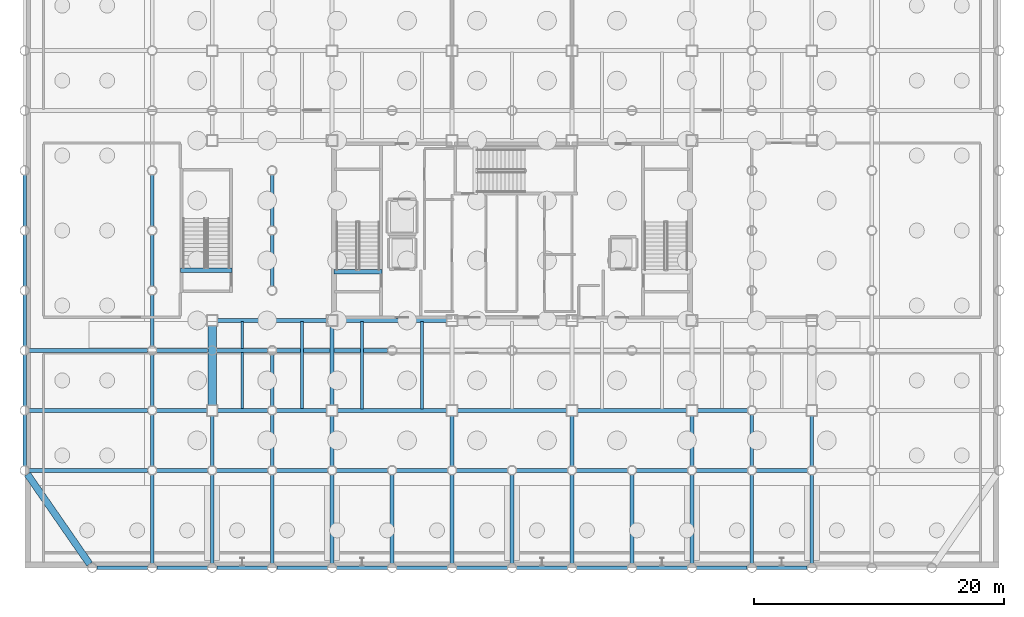
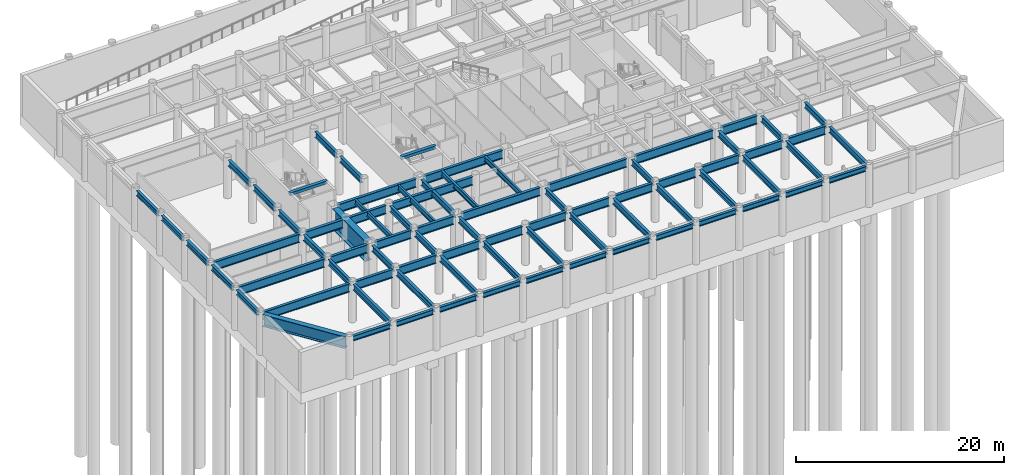
# One storey, part 6 of 17: 80 beams.
"""IFC4 building model written with IfcOpenShell, lengths in metres."""

from ifc_helpers import new_model, si_unit, direction, frame, origin, origin_2d, place, context, subcontext, project, spatial, rectangle, i_section, extrude, material, material_profile, profile_set, type_object, element, save


model = new_model("IFC4")

# Units and contexts
model_context = context("Model", 3, precision=1e-05, world=origin(), true_north=direction((0.0, 1.0)))
body_context = subcontext(model_context, "Body", "Model", "MODEL_VIEW")
ifc_project = project(units=[si_unit("LENGTHUNIT", "METRE"), si_unit("AREAUNIT", "SQUARE_METRE"), si_unit("VOLUMEUNIT", "CUBIC_METRE"), si_unit("PLANEANGLEUNIT", "RADIAN"), si_unit("MASSUNIT", "GRAM", prefix="KILO")], contexts=[model_context])

# Site, building, storey
site_placement = place(None, origin())
site = spatial("IfcSite", under=ifc_project, at=site_placement, CompositionType="ELEMENT")
building_placement = place(site_placement, origin())
building = spatial("IfcBuilding", under=site, at=building_placement, Name="Kallvorn Hotel Tower", CompositionType="ELEMENT")
storey_placement = place(building_placement, frame((0.0, 0.0, -10.199951171875)))
storey = spatial("IfcBuildingStorey", under=building, at=storey_placement, Name="B2", CompositionType="ELEMENT", Elevation=-10.199951171875)

# Beams
ifc_material_1 = material(Name="Structural steel S355JR", Category="steel")
ifc_material_profile_1 = material_profile(ifc_material_1, i_section(OverallWidth=0.300048828125, OverallDepth=1.0, WebThickness=0.01904296875, FlangeThickness=0.035888671875, at=origin_2d()), Name="HE 1000 B")
ifc_profile_set_1 = profile_set([ifc_material_profile_1], Name="Structural steel S355JR")
beam_type_1 = type_object("IfcBeamType", Name="BM_HE1000B", PredefinedType="BEAM", material=ifc_profile_set_1)
beam_1_placement = place(storey_placement, frame((-38.64404296875, -19.199951171875, 4.050048828125), z_axis=(1.0, 0.0, 0.0), x_axis=(0.0, 1.0, 0.0)))
element("IfcBeam", 1, at=beam_1_placement, inside=storey, type_object=beam_type_1, Name="B1 Primary X-Girder 03", PredefinedType="BEAM", context=body_context, shape_type="SweptSolid", body=[
    extrude(i_section(OverallWidth=0.300048828125, OverallDepth=1.0, WebThickness=0.01904296875, FlangeThickness=0.035888671875, at=origin_2d()), origin(), (0.0, 0.0, 1.0), 9.488037109375),
])
for number, where, z_axis, x_axis, name in (
    (2, (-28.444091796875, -19.199951171875, 4.050048828125), (1.0, 0.0, 0.0), (0.0, 1.0, 0.0), "B1 Primary X-Girder 04"),
    (3, (-23.64404296875, -19.199951171875, 4.050048828125), (1.0, 0.0, 0.0), (0.0, 1.0, 0.0), "B1 Primary X-Girder 05"),
):
    element("IfcBeam", number, at=place(storey_placement, frame(where, z_axis=z_axis, x_axis=x_axis)), inside=storey, type_object=beam_type_1, Name=name, PredefinedType="BEAM", context=body_context, shape_type="SweptSolid", body=[
        extrude(i_section(OverallWidth=0.300048828125, OverallDepth=1.0, WebThickness=0.01904296875, FlangeThickness=0.035888671875, at=origin_2d()), origin(), (0.0, 0.0, 1.0), 4.088134765625),
    ])
for number, where, z_axis, x_axis, name in (
    (4, (-18.843994140625, -19.199951171875, 4.050048828125), (1.0, 0.0, 0.0), (0.0, 1.0, 0.0), "B1 Primary X-Girder 06"),
    (5, (-14.0439453125, -19.199951171875, 4.050048828125), (1.0, 0.0, 0.0), (0.0, 1.0, 0.0), "B1 Primary X-Girder 07"),
    (6, (-9.243896484375, -19.199951171875, 4.050048828125), (1.0, 0.0, 0.0), (0.0, 1.0, 0.0), "B1 Primary X-Girder 08"),
):
    element("IfcBeam", number, at=place(storey_placement, frame(where, z_axis=z_axis, x_axis=x_axis)), inside=storey, type_object=beam_type_1, Name=name, PredefinedType="BEAM", context=body_context, shape_type="SweptSolid", body=[
        extrude(i_section(OverallWidth=0.300048828125, OverallDepth=1.0, WebThickness=0.01904296875, FlangeThickness=0.035888671875, at=origin_2d()), origin(), (0.0, 0.0, 1.0), 4.087890625),
    ])
for number, where, z_axis, x_axis, name in (
    (7, (-4.444091796875, -19.199951171875, 4.050048828125), (1.0, 0.0, 0.0), (0.0, 1.0, 0.0), "B1 Primary X-Girder 09"),
    (8, (0.35595703125, -19.199951171875, 4.050048828125), (1.0, 0.0, 0.0), (0.0, 1.0, 0.0), "B1 Primary X-Girder 10"),
):
    element("IfcBeam", number, at=place(storey_placement, frame(where, z_axis=z_axis, x_axis=x_axis)), inside=storey, type_object=beam_type_1, Name=name, PredefinedType="BEAM", context=body_context, shape_type="SweptSolid", body=[
        extrude(i_section(OverallWidth=0.300048828125, OverallDepth=1.0, WebThickness=0.01904296875, FlangeThickness=0.035888671875, at=origin_2d()), origin(), (0.0, 0.0, 1.0), 4.088134765625),
    ])
for number, where, z_axis, x_axis, name in (
    (9, (5.156005859375, -19.199951171875, 4.050048828125), (1.0, 0.0, 0.0), (0.0, 1.0, 0.0), "B1 Primary X-Girder 11"),
    (10, (9.9560546875, -19.199951171875, 4.050048828125), (1.0, 0.0, 0.0), (0.0, 1.0, 0.0), "B1 Primary X-Girder 12"),
    (11, (14.756103515625, -19.199951171875, 4.050048828125), (1.0, 0.0, 0.0), (0.0, 1.0, 0.0), "B1 Primary X-Girder 13"),
):
    element("IfcBeam", number, at=place(storey_placement, frame(where, z_axis=z_axis, x_axis=x_axis)), inside=storey, type_object=beam_type_1, Name=name, PredefinedType="BEAM", context=body_context, shape_type="SweptSolid", body=[
        extrude(i_section(OverallWidth=0.300048828125, OverallDepth=1.0, WebThickness=0.01904296875, FlangeThickness=0.035888671875, at=origin_2d()), origin(), (0.0, 0.0, 1.0), 4.087890625),
    ])
beam_2_placement = place(storey_placement, frame((19.555908203125, -19.199951171875, 4.050048828125), z_axis=(1.0, 0.0, 0.0), x_axis=(0.0, 1.0, 0.0)))
element("IfcBeam", 12, at=beam_2_placement, inside=storey, type_object=beam_type_1, Name="B1 Primary X-Girder 14", PredefinedType="BEAM", context=body_context, shape_type="SweptSolid", body=[
    extrude(i_section(OverallWidth=0.300048828125, OverallDepth=1.0, WebThickness=0.01904296875, FlangeThickness=0.035888671875, at=origin_2d()), origin(), (0.0, 0.0, 1.0), 4.088134765625),
])
beam_3_placement = place(storey_placement, frame((-38.64404296875, -14.39990234375, 4.050048828125), z_axis=(1.0, 0.0, 0.0), x_axis=(0.0, 1.0, 0.0)))
element("IfcBeam", 13, at=beam_3_placement, inside=storey, type_object=beam_type_1, Name="B1 Primary X-Girder 17", PredefinedType="BEAM", context=body_context, shape_type="SweptSolid", body=[
    extrude(i_section(OverallWidth=0.300048828125, OverallDepth=1.0, WebThickness=0.01904296875, FlangeThickness=0.035888671875, at=origin_2d()), origin(), (0.0, 0.0, 1.0), 9.488037109375),
])
for number, where, z_axis, x_axis, name in (
    (14, (-28.444091796875, -14.39990234375, 4.050048828125), (1.0, 0.0, 0.0), (0.0, 1.0, 0.0), "B1 Primary X-Girder 18"),
    (15, (-23.574951171875, -14.39990234375, 4.050048828125), (1.0, 0.0, 0.0), (0.0, 1.0, 0.0), "B1 Primary X-Girder 19"),
    (16, (-18.843994140625, -14.39990234375, 4.050048828125), (1.0, 0.0, 0.0), (0.0, 1.0, 0.0), "B1 Primary X-Girder 20"),
):
    element("IfcBeam", number, at=place(storey_placement, frame(where, z_axis=z_axis, x_axis=x_axis)), inside=storey, type_object=beam_type_1, Name=name, PredefinedType="BEAM", context=body_context, shape_type="SweptSolid", body=[
        extrude(i_section(OverallWidth=0.300048828125, OverallDepth=1.0, WebThickness=0.01904296875, FlangeThickness=0.035888671875, at=origin_2d()), origin(), (0.0, 0.0, 1.0), 4.01904296875),
    ])
for number, where, z_axis, x_axis, name in (
    (17, (-13.97509765625, -14.39990234375, 4.050048828125), (1.0, 0.0, 0.0), (0.0, 1.0, 0.0), "B1 Primary X-Girder 21"),
    (18, (-4.375, -14.39990234375, 4.050048828125), (1.0, 0.0, 0.0), (0.0, 1.0, 0.0), "B1 Primary X-Girder 22"),
    (19, (5.22509765625, -14.39990234375, 4.050048828125), (1.0, 0.0, 0.0), (0.0, 1.0, 0.0), "B1 Primary X-Girder 23"),
):
    element("IfcBeam", number, at=place(storey_placement, frame(where, z_axis=z_axis, x_axis=x_axis)), inside=storey, type_object=beam_type_1, Name=name, PredefinedType="BEAM", context=body_context, shape_type="SweptSolid", body=[
        extrude(i_section(OverallWidth=0.300048828125, OverallDepth=1.0, WebThickness=0.01904296875, FlangeThickness=0.035888671875, at=origin_2d()), origin(), (0.0, 0.0, 1.0), 8.75),
    ])
beam_4_placement = place(storey_placement, frame((14.824951171875, -14.39990234375, 4.050048828125), z_axis=(1.0, 0.0, 0.0), x_axis=(0.0, 1.0, 0.0)))
element("IfcBeam", 20, at=beam_4_placement, inside=storey, type_object=beam_type_1, Name="B1 Primary X-Girder 24", PredefinedType="BEAM", context=body_context, shape_type="SweptSolid", body=[
    extrude(i_section(OverallWidth=0.300048828125, OverallDepth=1.0, WebThickness=0.01904296875, FlangeThickness=0.035888671875, at=origin_2d()), origin(), (0.0, 0.0, 1.0), 4.01904296875),
])
beam_5_placement = place(storey_placement, frame((-38.64404296875, -9.60009765625, 4.050048828125), z_axis=(1.0, 0.0, 0.0), x_axis=(0.0, 1.0, 0.0)))
element("IfcBeam", 21, at=beam_5_placement, inside=storey, type_object=beam_type_1, Name="B1 Primary X-Girder 28", PredefinedType="BEAM", context=body_context, shape_type="SweptSolid", body=[
    extrude(i_section(OverallWidth=0.300048828125, OverallDepth=1.0, WebThickness=0.01904296875, FlangeThickness=0.035888671875, at=origin_2d()), origin(), (0.0, 0.0, 1.0), 9.488037109375),
])
for number, where, z_axis, x_axis, name in (
    (22, (-28.444091796875, -9.60009765625, 4.050048828125), (1.0, 0.0, 0.0), (0.0, 1.0, 0.0), "B1 Primary X-Girder 29"),
    (23, (-23.64404296875, -9.60009765625, 4.050048828125), (1.0, 0.0, 0.0), (0.0, 1.0, 0.0), "B1 Primary X-Girder 30"),
):
    element("IfcBeam", number, at=place(storey_placement, frame(where, z_axis=z_axis, x_axis=x_axis)), inside=storey, type_object=beam_type_1, Name=name, PredefinedType="BEAM", context=body_context, shape_type="SweptSolid", body=[
        extrude(i_section(OverallWidth=0.300048828125, OverallDepth=1.0, WebThickness=0.01904296875, FlangeThickness=0.035888671875, at=origin_2d()), origin(), (0.0, 0.0, 1.0), 4.088134765625),
    ])
beam_6_placement = place(storey_placement, frame((-18.843994140625, -9.60009765625, 4.050048828125), z_axis=(1.0, 0.0, 0.0), x_axis=(0.0, 1.0, 0.0)))
element("IfcBeam", 24, at=beam_6_placement, inside=storey, type_object=beam_type_1, Name="B1 Primary X-Girder 31", PredefinedType="BEAM", context=body_context, shape_type="SweptSolid", body=[
    extrude(i_section(OverallWidth=0.300048828125, OverallDepth=1.0, WebThickness=0.01904296875, FlangeThickness=0.035888671875, at=origin_2d()), origin(), (0.0, 0.0, 1.0), 8.887939453125),
])
for number, where, z_axis, x_axis, name in (
    (25, (-23.574951171875, -7.199951171875, 4.050048828125), (1.0, 0.0, 0.0), (0.0, 1.0, 0.0), "B1 Primary X-Girder 38"),
    (26, (-13.97509765625, -7.199951171875, 4.050048828125), (1.0, 0.0, 0.0), (0.0, 1.0, 0.0), "B1 Primary X-Girder 39"),
):
    element("IfcBeam", number, at=place(storey_placement, frame(where, z_axis=z_axis, x_axis=x_axis)), inside=storey, type_object=beam_type_1, Name=name, PredefinedType="BEAM", context=body_context, shape_type="SweptSolid", body=[
        extrude(i_section(OverallWidth=0.300048828125, OverallDepth=1.0, WebThickness=0.01904296875, FlangeThickness=0.035888671875, at=origin_2d()), origin(), (0.0, 0.0, 1.0), 8.75),
    ])
ifc_material_2 = material(Name="Structural steel S355JR", Category="steel")
ifc_material_profile_2 = material_profile(ifc_material_2, i_section(OverallWidth=0.300048828125, OverallDepth=0.60009765625, WebThickness=0.015380859375, FlangeThickness=0.030029296875, at=origin_2d()), Name="HE 600 B")
ifc_profile_set_2 = profile_set([ifc_material_profile_2], Name="Structural steel S355JR")
beam_type_2 = type_object("IfcBeamType", Name="BM_HE600B", PredefinedType="SPANDREL", material=ifc_profile_set_2)
beam_7_placement = place(storey_placement, frame((-33.22900390625, -27.0, 4.25), z_axis=(1.0, 0.0, 0.0), x_axis=(0.0, 1.0, 0.0)))
element("IfcBeam", 27, at=beam_7_placement, inside=storey, type_object=beam_type_2, Name="B1 Perimeter Spandrel 174", PredefinedType="SPANDREL", context=body_context, shape_type="SweptSolid", body=[
    extrude(i_section(OverallWidth=0.300048828125, OverallDepth=0.60009765625, WebThickness=0.015380859375, FlangeThickness=0.030029296875, at=origin_2d()), origin(), (0.0, 0.0, 1.0), 4.05810546875),
])
for number, where, z_axis, x_axis, name in (
    (28, (-28.428955078125, -27.0, 4.25), (1.0, 0.0, 0.0), (0.0, 1.0, 0.0), "B1 Perimeter Spandrel 175"),
    (29, (-23.62890625, -27.0, 4.25), (1.0, 0.0, 0.0), (0.0, 1.0, 0.0), "B1 Perimeter Spandrel 176"),
):
    element("IfcBeam", number, at=place(storey_placement, frame(where, z_axis=z_axis, x_axis=x_axis)), inside=storey, type_object=beam_type_2, Name=name, PredefinedType="SPANDREL", context=body_context, shape_type="SweptSolid", body=[
        extrude(i_section(OverallWidth=0.300048828125, OverallDepth=0.60009765625, WebThickness=0.015380859375, FlangeThickness=0.030029296875, at=origin_2d()), origin(), (0.0, 0.0, 1.0), 4.057861328125),
    ])
for number, where, z_axis, x_axis, name in (
    (30, (-18.8291015625, -27.0, 4.25), (1.0, 0.0, 0.0), (0.0, 1.0, 0.0), "B1 Perimeter Spandrel 177"),
    (31, (-14.029052734375, -27.0, 4.25), (1.0, 0.0, 0.0), (0.0, 1.0, 0.0), "B1 Perimeter Spandrel 178"),
    (32, (-9.22900390625, -27.0, 4.25), (1.0, 0.0, 0.0), (0.0, 1.0, 0.0), "B1 Perimeter Spandrel 179"),
):
    element("IfcBeam", number, at=place(storey_placement, frame(where, z_axis=z_axis, x_axis=x_axis)), inside=storey, type_object=beam_type_2, Name=name, PredefinedType="SPANDREL", context=body_context, shape_type="SweptSolid", body=[
        extrude(i_section(OverallWidth=0.300048828125, OverallDepth=0.60009765625, WebThickness=0.015380859375, FlangeThickness=0.030029296875, at=origin_2d()), origin(), (0.0, 0.0, 1.0), 4.05810546875),
    ])
for number, where, z_axis, x_axis, name in (
    (33, (-4.428955078125, -27.0, 4.25), (1.0, 0.0, 0.0), (0.0, 1.0, 0.0), "B1 Perimeter Spandrel 180"),
    (34, (0.37109375, -27.0, 4.25), (1.0, 0.0, 0.0), (0.0, 1.0, 0.0), "B1 Perimeter Spandrel 181"),
):
    element("IfcBeam", number, at=place(storey_placement, frame(where, z_axis=z_axis, x_axis=x_axis)), inside=storey, type_object=beam_type_2, Name=name, PredefinedType="SPANDREL", context=body_context, shape_type="SweptSolid", body=[
        extrude(i_section(OverallWidth=0.300048828125, OverallDepth=0.60009765625, WebThickness=0.015380859375, FlangeThickness=0.030029296875, at=origin_2d()), origin(), (0.0, 0.0, 1.0), 4.057861328125),
    ])
for number, where, z_axis, x_axis, name in (
    (35, (5.1708984375, -27.0, 4.25), (1.0, 0.0, 0.0), (0.0, 1.0, 0.0), "B1 Perimeter Spandrel 182"),
    (36, (9.970947265625, -27.0, 4.25), (1.0, 0.0, 0.0), (0.0, 1.0, 0.0), "B1 Perimeter Spandrel 183"),
    (37, (14.77099609375, -27.0, 4.25), (1.0, 0.0, 0.0), (0.0, 1.0, 0.0), "B1 Perimeter Spandrel 184"),
):
    element("IfcBeam", number, at=place(storey_placement, frame(where, z_axis=z_axis, x_axis=x_axis)), inside=storey, type_object=beam_type_2, Name=name, PredefinedType="SPANDREL", context=body_context, shape_type="SweptSolid", body=[
        extrude(i_section(OverallWidth=0.300048828125, OverallDepth=0.60009765625, WebThickness=0.015380859375, FlangeThickness=0.030029296875, at=origin_2d()), origin(), (0.0, 0.0, 1.0), 4.05810546875),
    ])
beam_8_placement = place(storey_placement, frame((19.571044921875, -27.0, 4.25), z_axis=(1.0, 0.0, 0.0), x_axis=(0.0, 1.0, 0.0)))
element("IfcBeam", 38, at=beam_8_placement, inside=storey, type_object=beam_type_2, Name="B1 Perimeter Spandrel 185", PredefinedType="SPANDREL", context=body_context, shape_type="SweptSolid", body=[
    extrude(i_section(OverallWidth=0.300048828125, OverallDepth=0.60009765625, WebThickness=0.015380859375, FlangeThickness=0.030029296875, at=origin_2d()), origin(), (0.0, 0.0, 1.0), 4.057861328125),
])
for number, where, z_axis, x_axis, name in (
    (39, (-39.0, -18.8291015625, 4.25), (0.0, 1.0, 0.0), (-1.0, 0.0, 0.0), "B1 Perimeter Spandrel 202"),
    (40, (-39.0, -14.029052734375, 4.25), (0.0, 1.0, 0.0), (-1.0, 0.0, 0.0), "B1 Perimeter Spandrel 203"),
    (41, (-39.0, -9.22900390625, 4.25), (0.0, 1.0, 0.0), (-1.0, 0.0, 0.0), "B1 Perimeter Spandrel 204"),
):
    element("IfcBeam", number, at=place(storey_placement, frame(where, z_axis=z_axis, x_axis=x_axis)), inside=storey, type_object=beam_type_2, Name=name, PredefinedType="SPANDREL", context=body_context, shape_type="SweptSolid", body=[
        extrude(i_section(OverallWidth=0.300048828125, OverallDepth=0.60009765625, WebThickness=0.015380859375, FlangeThickness=0.030029296875, at=origin_2d()), origin(), (0.0, 0.0, 1.0), 4.05810546875),
    ])
for number, where, z_axis, x_axis, name in (
    (42, (-39.0, -4.428955078125, 4.25), (0.0, 1.0, 0.0), (-1.0, 0.0, 0.0), "B1 Perimeter Spandrel 205"),
    (43, (-39.0, 0.37109375, 4.25), (0.0, 1.0, 0.0), (-1.0, 0.0, 0.0), "B1 Perimeter Spandrel 206"),
):
    element("IfcBeam", number, at=place(storey_placement, frame(where, z_axis=z_axis, x_axis=x_axis)), inside=storey, type_object=beam_type_2, Name=name, PredefinedType="SPANDREL", context=body_context, shape_type="SweptSolid", body=[
        extrude(i_section(OverallWidth=0.300048828125, OverallDepth=0.60009765625, WebThickness=0.015380859375, FlangeThickness=0.030029296875, at=origin_2d()), origin(), (0.0, 0.0, 1.0), 4.057861328125),
    ])
ifc_material_3 = material(Name="Structural steel S355JR", Category="steel")
ifc_material_profile_3 = material_profile(ifc_material_3, i_section(OverallWidth=0.300048828125, OverallDepth=0.699951171875, WebThickness=0.01708984375, FlangeThickness=0.031982421875, at=origin_2d()), Name="HE 700 B")
ifc_profile_set_3 = profile_set([ifc_material_profile_3], Name="Structural steel S355JR")
beam_type_3 = type_object("IfcBeamType", Name="BM_HE700B", PredefinedType="BEAM", material=ifc_profile_set_3)
beam_9_placement = place(storey_placement, frame((-28.800048828125, -26.64404296875, 4.199951171875), z_axis=(0.0, 1.0, 0.0), x_axis=(-1.0, 0.0, 0.0)))
element("IfcBeam", 44, at=beam_9_placement, inside=storey, type_object=beam_type_3, Name="B1 Primary Y-Girder 82", PredefinedType="BEAM", context=body_context, shape_type="SweptSolid", body=[
    extrude(i_section(OverallWidth=0.300048828125, OverallDepth=0.699951171875, WebThickness=0.01708984375, FlangeThickness=0.031982421875, at=origin_2d()), origin(), (0.0, 0.0, 1.0), 7.088134765625),
])
for number, where, z_axis, x_axis, name in (
    (45, (-28.800048828125, -18.843994140625, 4.199951171875), (0.0, 1.0, 0.0), (-1.0, 0.0, 0.0), "B1 Primary Y-Girder 83"),
    (46, (-28.800048828125, -14.0439453125, 4.199951171875), (0.0, 1.0, 0.0), (-1.0, 0.0, 0.0), "B1 Primary Y-Girder 84"),
    (47, (-28.800048828125, -9.243896484375, 4.199951171875), (0.0, 1.0, 0.0), (-1.0, 0.0, 0.0), "B1 Primary Y-Girder 85"),
):
    element("IfcBeam", number, at=place(storey_placement, frame(where, z_axis=z_axis, x_axis=x_axis)), inside=storey, type_object=beam_type_3, Name=name, PredefinedType="BEAM", context=body_context, shape_type="SweptSolid", body=[
        extrude(i_section(OverallWidth=0.300048828125, OverallDepth=0.699951171875, WebThickness=0.01708984375, FlangeThickness=0.031982421875, at=origin_2d()), origin(), (0.0, 0.0, 1.0), 4.087890625),
    ])
for number, where, z_axis, x_axis, name in (
    (48, (-28.800048828125, -4.444091796875, 4.199951171875), (0.0, 1.0, 0.0), (-1.0, 0.0, 0.0), "B1 Primary Y-Girder 86"),
    (49, (-28.800048828125, 0.35595703125, 4.199951171875), (0.0, 1.0, 0.0), (-1.0, 0.0, 0.0), "B1 Primary Y-Girder 87"),
):
    element("IfcBeam", number, at=place(storey_placement, frame(where, z_axis=z_axis, x_axis=x_axis)), inside=storey, type_object=beam_type_3, Name=name, PredefinedType="BEAM", context=body_context, shape_type="SweptSolid", body=[
        extrude(i_section(OverallWidth=0.300048828125, OverallDepth=0.699951171875, WebThickness=0.01708984375, FlangeThickness=0.031982421875, at=origin_2d()), origin(), (0.0, 0.0, 1.0), 4.088134765625),
    ])
beam_10_placement = place(storey_placement, frame((-24.0, -26.64404296875, 4.199951171875), z_axis=(0.0, 1.0, 0.0), x_axis=(-1.0, 0.0, 0.0)))
element("IfcBeam", 50, at=beam_10_placement, inside=storey, type_object=beam_type_3, Name="B1 Primary Y-Girder 92", PredefinedType="BEAM", context=body_context, shape_type="SweptSolid", body=[
    extrude(i_section(OverallWidth=0.300048828125, OverallDepth=0.699951171875, WebThickness=0.01708984375, FlangeThickness=0.031982421875, at=origin_2d()), origin(), (0.0, 0.0, 1.0), 7.088134765625),
])
beam_11_placement = place(storey_placement, frame((-24.0, -18.843994140625, 4.199951171875), z_axis=(0.0, 1.0, 0.0), x_axis=(-1.0, 0.0, 0.0)))
element("IfcBeam", 51, at=beam_11_placement, inside=storey, type_object=beam_type_3, Name="B1 Primary Y-Girder 93", PredefinedType="BEAM", context=body_context, shape_type="SweptSolid", body=[
    extrude(i_section(OverallWidth=0.300048828125, OverallDepth=0.699951171875, WebThickness=0.01708984375, FlangeThickness=0.031982421875, at=origin_2d()), origin(), (0.0, 0.0, 1.0), 4.01904296875),
])
beam_12_placement = place(storey_placement, frame((-19.199951171875, -26.64404296875, 4.199951171875), z_axis=(0.0, 1.0, 0.0), x_axis=(-1.0, 0.0, 0.0)))
element("IfcBeam", 52, at=beam_12_placement, inside=storey, type_object=beam_type_3, Name="B1 Primary Y-Girder 100", PredefinedType="BEAM", context=body_context, shape_type="SweptSolid", body=[
    extrude(i_section(OverallWidth=0.300048828125, OverallDepth=0.699951171875, WebThickness=0.01708984375, FlangeThickness=0.031982421875, at=origin_2d()), origin(), (0.0, 0.0, 1.0), 7.088134765625),
])
for number, where, z_axis, x_axis, name in (
    (53, (-19.199951171875, -18.843994140625, 4.199951171875), (0.0, 1.0, 0.0), (-1.0, 0.0, 0.0), "B1 Primary Y-Girder 101"),
    (54, (-19.199951171875, -14.0439453125, 4.199951171875), (0.0, 1.0, 0.0), (-1.0, 0.0, 0.0), "B1 Primary Y-Girder 102"),
):
    element("IfcBeam", number, at=place(storey_placement, frame(where, z_axis=z_axis, x_axis=x_axis)), inside=storey, type_object=beam_type_3, Name=name, PredefinedType="BEAM", context=body_context, shape_type="SweptSolid", body=[
        extrude(i_section(OverallWidth=0.300048828125, OverallDepth=0.699951171875, WebThickness=0.01708984375, FlangeThickness=0.031982421875, at=origin_2d()), origin(), (0.0, 0.0, 1.0), 4.087890625),
    ])
for number, where, z_axis, x_axis, name in (
    (55, (-19.199951171875, -4.444091796875, 4.199951171875), (0.0, 1.0, 0.0), (-1.0, 0.0, 0.0), "B1 Primary Y-Girder 104"),
    (56, (-19.199951171875, 0.35595703125, 4.199951171875), (0.0, 1.0, 0.0), (-1.0, 0.0, 0.0), "B1 Primary Y-Girder 105"),
):
    element("IfcBeam", number, at=place(storey_placement, frame(where, z_axis=z_axis, x_axis=x_axis)), inside=storey, type_object=beam_type_3, Name=name, PredefinedType="BEAM", context=body_context, shape_type="SweptSolid", body=[
        extrude(i_section(OverallWidth=0.300048828125, OverallDepth=0.699951171875, WebThickness=0.01708984375, FlangeThickness=0.031982421875, at=origin_2d()), origin(), (0.0, 0.0, 1.0), 4.088134765625),
    ])
beam_13_placement = place(storey_placement, frame((-14.39990234375, -26.64404296875, 4.199951171875), z_axis=(0.0, 1.0, 0.0), x_axis=(-1.0, 0.0, 0.0)))
element("IfcBeam", 57, at=beam_13_placement, inside=storey, type_object=beam_type_3, Name="B1 Primary Y-Girder 110", PredefinedType="BEAM", context=body_context, shape_type="SweptSolid", body=[
    extrude(i_section(OverallWidth=0.300048828125, OverallDepth=0.699951171875, WebThickness=0.01708984375, FlangeThickness=0.031982421875, at=origin_2d()), origin(), (0.0, 0.0, 1.0), 7.088134765625),
])
beam_14_placement = place(storey_placement, frame((-14.39990234375, -18.843994140625, 4.199951171875), z_axis=(0.0, 1.0, 0.0), x_axis=(-1.0, 0.0, 0.0)))
element("IfcBeam", 58, at=beam_14_placement, inside=storey, type_object=beam_type_3, Name="B1 Primary Y-Girder 111", PredefinedType="BEAM", context=body_context, shape_type="SweptSolid", body=[
    extrude(i_section(OverallWidth=0.300048828125, OverallDepth=0.699951171875, WebThickness=0.01708984375, FlangeThickness=0.031982421875, at=origin_2d()), origin(), (0.0, 0.0, 1.0), 4.01904296875),
])
beam_15_placement = place(storey_placement, frame((-14.39990234375, -13.97509765625, 4.199951171875), z_axis=(0.0, 1.0, 0.0), x_axis=(-1.0, 0.0, 0.0)))
element("IfcBeam", 59, at=beam_15_placement, inside=storey, type_object=beam_type_3, Name="B1 Primary Y-Girder 112", PredefinedType="BEAM", context=body_context, shape_type="SweptSolid", body=[
    extrude(i_section(OverallWidth=0.300048828125, OverallDepth=0.699951171875, WebThickness=0.01708984375, FlangeThickness=0.031982421875, at=origin_2d()), origin(), (0.0, 0.0, 1.0), 6.35009765625),
])
for number, where, z_axis, x_axis, name in (
    (60, (-9.60009765625, -26.64404296875, 4.199951171875), (0.0, 1.0, 0.0), (-1.0, 0.0, 0.0), "B1 Primary Y-Girder 116"),
    (61, (-4.800048828125, -26.64404296875, 4.199951171875), (0.0, 1.0, 0.0), (-1.0, 0.0, 0.0), "B1 Primary Y-Girder 120"),
):
    element("IfcBeam", number, at=place(storey_placement, frame(where, z_axis=z_axis, x_axis=x_axis)), inside=storey, type_object=beam_type_3, Name=name, PredefinedType="BEAM", context=body_context, shape_type="SweptSolid", body=[
        extrude(i_section(OverallWidth=0.300048828125, OverallDepth=0.699951171875, WebThickness=0.01708984375, FlangeThickness=0.031982421875, at=origin_2d()), origin(), (0.0, 0.0, 1.0), 7.088134765625),
    ])
beam_16_placement = place(storey_placement, frame((-4.800048828125, -18.843994140625, 4.199951171875), z_axis=(0.0, 1.0, 0.0), x_axis=(-1.0, 0.0, 0.0)))
element("IfcBeam", 62, at=beam_16_placement, inside=storey, type_object=beam_type_3, Name="B1 Primary Y-Girder 121", PredefinedType="BEAM", context=body_context, shape_type="SweptSolid", body=[
    extrude(i_section(OverallWidth=0.300048828125, OverallDepth=0.699951171875, WebThickness=0.01708984375, FlangeThickness=0.031982421875, at=origin_2d()), origin(), (0.0, 0.0, 1.0), 4.01904296875),
])
for number, where, z_axis, x_axis, name in (
    (63, (0.0, -26.64404296875, 4.199951171875), (0.0, 1.0, 0.0), (-1.0, 0.0, 0.0), "B1 Primary Y-Girder 126"),
    (64, (4.800048828125, -26.64404296875, 4.199951171875), (0.0, 1.0, 0.0), (-1.0, 0.0, 0.0), "B1 Primary Y-Girder 130"),
):
    element("IfcBeam", number, at=place(storey_placement, frame(where, z_axis=z_axis, x_axis=x_axis)), inside=storey, type_object=beam_type_3, Name=name, PredefinedType="BEAM", context=body_context, shape_type="SweptSolid", body=[
        extrude(i_section(OverallWidth=0.300048828125, OverallDepth=0.699951171875, WebThickness=0.01708984375, FlangeThickness=0.031982421875, at=origin_2d()), origin(), (0.0, 0.0, 1.0), 7.088134765625),
    ])
beam_17_placement = place(storey_placement, frame((4.800048828125, -18.843994140625, 4.199951171875), z_axis=(0.0, 1.0, 0.0), x_axis=(-1.0, 0.0, 0.0)))
element("IfcBeam", 65, at=beam_17_placement, inside=storey, type_object=beam_type_3, Name="B1 Primary Y-Girder 131", PredefinedType="BEAM", context=body_context, shape_type="SweptSolid", body=[
    extrude(i_section(OverallWidth=0.300048828125, OverallDepth=0.699951171875, WebThickness=0.01708984375, FlangeThickness=0.031982421875, at=origin_2d()), origin(), (0.0, 0.0, 1.0), 4.01904296875),
])
for number, where, z_axis, x_axis, name in (
    (66, (9.60009765625, -26.64404296875, 4.199951171875), (0.0, 1.0, 0.0), (-1.0, 0.0, 0.0), "B1 Primary Y-Girder 136"),
    (67, (14.39990234375, -26.64404296875, 4.199951171875), (0.0, 1.0, 0.0), (-1.0, 0.0, 0.0), "B1 Primary Y-Girder 140"),
):
    element("IfcBeam", number, at=place(storey_placement, frame(where, z_axis=z_axis, x_axis=x_axis)), inside=storey, type_object=beam_type_3, Name=name, PredefinedType="BEAM", context=body_context, shape_type="SweptSolid", body=[
        extrude(i_section(OverallWidth=0.300048828125, OverallDepth=0.699951171875, WebThickness=0.01708984375, FlangeThickness=0.031982421875, at=origin_2d()), origin(), (0.0, 0.0, 1.0), 7.088134765625),
    ])
beam_18_placement = place(storey_placement, frame((14.39990234375, -18.843994140625, 4.199951171875), z_axis=(0.0, 1.0, 0.0), x_axis=(-1.0, 0.0, 0.0)))
element("IfcBeam", 68, at=beam_18_placement, inside=storey, type_object=beam_type_3, Name="B1 Primary Y-Girder 141", PredefinedType="BEAM", context=body_context, shape_type="SweptSolid", body=[
    extrude(i_section(OverallWidth=0.300048828125, OverallDepth=0.699951171875, WebThickness=0.01708984375, FlangeThickness=0.031982421875, at=origin_2d()), origin(), (0.0, 0.0, 1.0), 4.01904296875),
])
beam_19_placement = place(storey_placement, frame((19.199951171875, -26.64404296875, 4.199951171875), z_axis=(0.0, 1.0, 0.0), x_axis=(-1.0, 0.0, 0.0)))
element("IfcBeam", 69, at=beam_19_placement, inside=storey, type_object=beam_type_3, Name="B1 Primary Y-Girder 146", PredefinedType="BEAM", context=body_context, shape_type="SweptSolid", body=[
    extrude(i_section(OverallWidth=0.300048828125, OverallDepth=0.699951171875, WebThickness=0.01708984375, FlangeThickness=0.031982421875, at=origin_2d()), origin(), (0.0, 0.0, 1.0), 7.088134765625),
])
beam_20_placement = place(storey_placement, frame((19.199951171875, -18.843994140625, 4.199951171875), z_axis=(0.0, 1.0, 0.0), x_axis=(-1.0, 0.0, 0.0)))
element("IfcBeam", 70, at=beam_20_placement, inside=storey, type_object=beam_type_3, Name="B1 Primary Y-Girder 147", PredefinedType="BEAM", context=body_context, shape_type="SweptSolid", body=[
    extrude(i_section(OverallWidth=0.300048828125, OverallDepth=0.699951171875, WebThickness=0.01708984375, FlangeThickness=0.031982421875, at=origin_2d()), origin(), (0.0, 0.0, 1.0), 4.087890625),
])
beam_21_placement = place(storey_placement, frame((24.0, -26.64404296875, 4.199951171875), z_axis=(0.0, 1.0, 0.0), x_axis=(-1.0, 0.0, 0.0)))
element("IfcBeam", 71, at=beam_21_placement, inside=storey, type_object=beam_type_3, Name="B1 Primary Y-Girder 156", PredefinedType="BEAM", context=body_context, shape_type="SweptSolid", body=[
    extrude(i_section(OverallWidth=0.300048828125, OverallDepth=0.699951171875, WebThickness=0.01708984375, FlangeThickness=0.031982421875, at=origin_2d()), origin(), (0.0, 0.0, 1.0), 7.088134765625),
])
beam_22_placement = place(storey_placement, frame((24.0, -18.843994140625, 4.199951171875), z_axis=(0.0, 1.0, 0.0), x_axis=(-1.0, 0.0, 0.0)))
element("IfcBeam", 72, at=beam_22_placement, inside=storey, type_object=beam_type_3, Name="B1 Primary Y-Girder 157", PredefinedType="BEAM", context=body_context, shape_type="SweptSolid", body=[
    extrude(i_section(OverallWidth=0.300048828125, OverallDepth=0.699951171875, WebThickness=0.01708984375, FlangeThickness=0.031982421875, at=origin_2d()), origin(), (0.0, 0.0, 1.0), 4.01904296875),
])
ifc_material_4 = material(Name="Structural steel S355JR", Category="steel")
ifc_material_profile_4 = material_profile(ifc_material_4, i_section(OverallWidth=0.219970703125, OverallDepth=0.60009765625, WebThickness=0.011962890625, FlangeThickness=0.01904296875, at=origin_2d()), Name="IPE 600")
ifc_profile_set_4 = profile_set([ifc_material_profile_4], Name="Structural steel S355JR")
beam_type_4 = type_object("IfcBeamType", Name="BM_IPE600", PredefinedType="JOIST", material=ifc_profile_set_4)
for number, where, z_axis, x_axis, name in (
    (73, (-21.60009765625, -14.300048828125, 4.25), (0.0, 1.0, 0.0), (-1.0, 0.0, 0.0), "B1 Secondary Composite Joist 222"),
    (74, (-16.800048828125, -14.300048828125, 4.25), (0.0, 1.0, 0.0), (-1.0, 0.0, 0.0), "B1 Secondary Composite Joist 224"),
    (75, (-12.0, -14.300048828125, 4.25), (0.0, 1.0, 0.0), (-1.0, 0.0, 0.0), "B1 Secondary Composite Joist 226"),
    (76, (-7.199951171875, -14.300048828125, 4.25), (0.0, 1.0, 0.0), (-1.0, 0.0, 0.0), "B1 Secondary Composite Joist 228"),
):
    element("IfcBeam", number, at=place(storey_placement, frame(where, z_axis=z_axis, x_axis=x_axis)), inside=storey, type_object=beam_type_4, Name=name, PredefinedType="JOIST", context=body_context, shape_type="SweptSolid", body=[
        extrude(i_section(OverallWidth=0.219970703125, OverallDepth=0.60009765625, WebThickness=0.011962890625, FlangeThickness=0.01904296875, at=origin_2d()), origin(), (0.0, 0.0, 1.0), 7.0),
    ])
ifc_material_5 = material(Name="Structural steel S355JR", Category="steel")
ifc_material_profile_5 = material_profile(ifc_material_5, i_section(OverallWidth=0.550048828125, OverallDepth=1.39990234375, WebThickness=0.02490234375, FlangeThickness=0.044921875, at=origin_2d()), Name="PG 1400x550x25x45")
ifc_profile_set_5 = profile_set([ifc_material_profile_5], Name="Structural steel S355JR")
beam_type_5 = type_object("IfcBeamType", Name="BM_PG_1400", PredefinedType="BEAM", material=ifc_profile_set_5)
beam_23_placement = place(storey_placement, frame((-38.788818359375, -19.5048828125, 3.849853515625), z_axis=(0.569188202743, -0.82220726697, 0.0), x_axis=(0.82220726697, 0.569188202743, 0.0)))
element("IfcBeam", 77, at=beam_23_placement, inside=storey, type_object=beam_type_5, Name="B1 Rounded Corner Tie Beam 218", PredefinedType="BEAM", context=body_context, shape_type="SweptSolid", body=[
    extrude(i_section(OverallWidth=0.550048828125, OverallDepth=1.39990234375, WebThickness=0.02490234375, FlangeThickness=0.044921875, at=origin_2d()), origin(), (0.0, 0.0, 1.0), 8.744873046875),
])
ifc_material_6 = material(Name="Structural steel S355JR", Category="steel")
ifc_material_profile_6 = material_profile(ifc_material_6, i_section(OverallWidth=0.699951171875, OverallDepth=2.39990234375, WebThickness=0.031982421875, FlangeThickness=0.06005859375, at=origin_2d()), Name="PG 2400x700x32x60")
ifc_profile_set_6 = profile_set([ifc_material_profile_6], Name="Structural steel S355JR")
beam_type_6 = type_object("IfcBeamType", Name="BM_PG_2400", PredefinedType="BEAM", material=ifc_profile_set_6)
beam_24_placement = place(storey_placement, frame((-24.0, -13.9599609375, 3.349853515625), z_axis=(0.0, 1.0, 0.0), x_axis=(-1.0, 0.0, 0.0)))
element("IfcBeam", 78, at=beam_24_placement, inside=storey, type_object=beam_type_6, Name="B1 Heavy Portal Girder W", PredefinedType="BEAM", context=body_context, shape_type="SweptSolid", body=[
    extrude(i_section(OverallWidth=0.699951171875, OverallDepth=2.39990234375, WebThickness=0.031982421875, FlangeThickness=0.06005859375, at=origin_2d()), origin(), (0.0, 0.0, 1.0), 6.320068359375),
])
ifc_material_7 = material(Name="Concrete C50/60", Category="concrete")
ifc_material_profile_7 = material_profile(ifc_material_7, rectangle(XDim=0.360107421875, YDim=0.340087890625, at=origin_2d()), Name="RC 360x340")
ifc_profile_set_7 = profile_set([ifc_material_profile_7], Name="Concrete C50/60")
beam_type_7 = type_object("IfcBeamType", Name="BM_RC_400x360", PredefinedType="BEAM", material=ifc_profile_set_7)
beam_25_placement = place(storey_placement, frame((-10.419921875, -3.31005859375, 4.3798828125), z_axis=(-1.0, 0.0, 0.0), x_axis=(0.0, -1.0, 0.0)))
element("IfcBeam", 79, at=beam_25_placement, inside=storey, type_object=beam_type_7, Name="B1 Stair ST1 Arrival Trimmer Beam", PredefinedType="BEAM", context=body_context, shape_type="SweptSolid", body=[
    extrude(rectangle(XDim=0.360107421875, YDim=0.340087890625, at=origin_2d()), origin(), (0.0, 0.0, 1.0), 3.820068359375),
])
beam_26_placement = place(storey_placement, frame((-22.419921875, -3.169921875, 4.3798828125), z_axis=(-1.0, 0.0, 0.0), x_axis=(0.0, -1.0, 0.0)))
element("IfcBeam", 80, at=beam_26_placement, inside=storey, type_object=beam_type_7, Name="B1 Stair ST4 Arrival Trimmer Beam", PredefinedType="BEAM", context=body_context, shape_type="SweptSolid", body=[
    extrude(rectangle(XDim=0.360107421875, YDim=0.340087890625, at=origin_2d()), origin(), (0.0, 0.0, 1.0), 4.10009765625),
])

save(model, "model.ifc")
